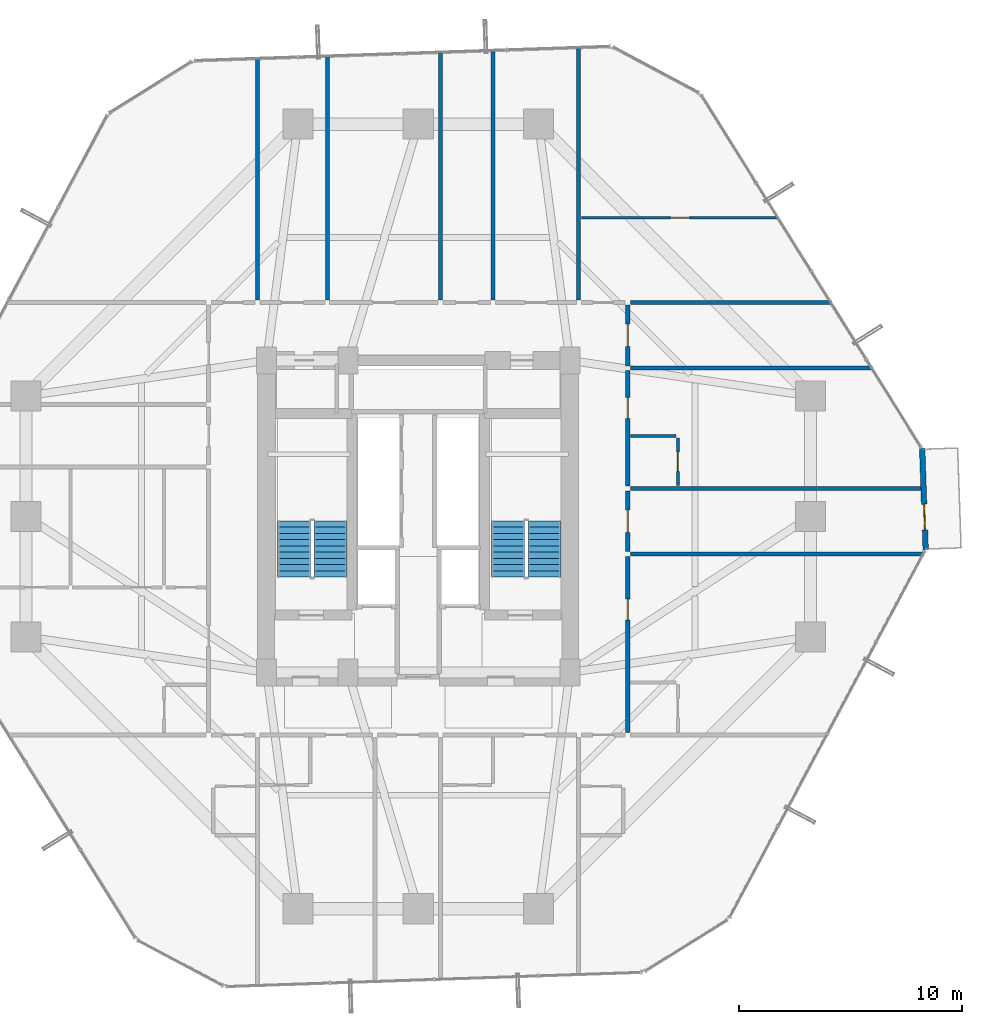
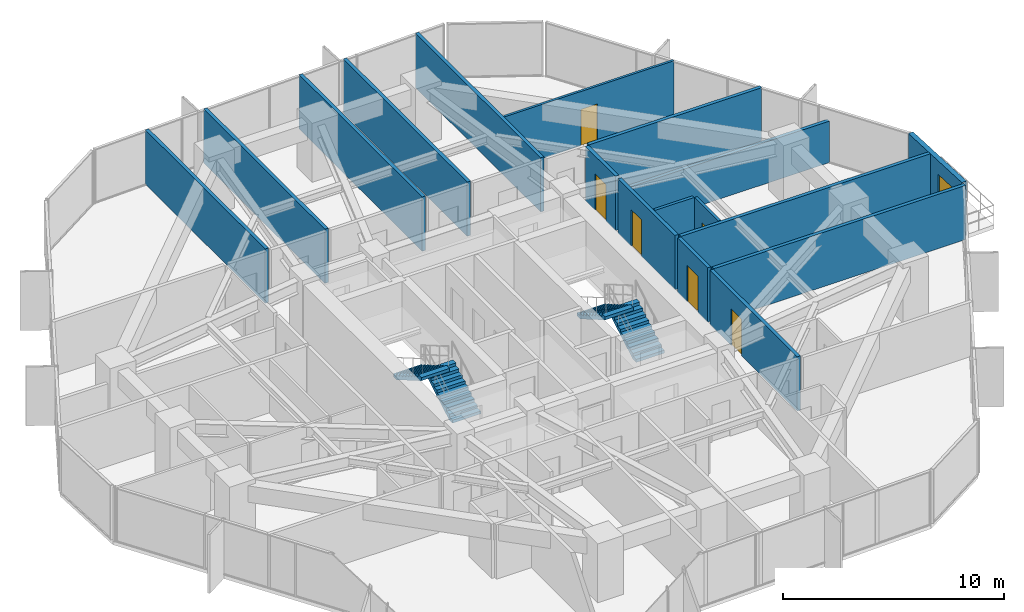
# One storey, part 37 of 39: 17 walls, 7 doors, 4 stair flights, 7 openings, 2 elements without a shape of their own.
"""IFC4 building model written with IfcOpenShell, lengths in metres."""

from ifc_helpers import new_model, si_unit, direction, frame, frame_2d, origin, place, context, subcontext, project, spatial, polyline, rectangle, outline, extrude, source, transform, mapped, material, layer, layer_set, type_object, element, fill, aggregate, save


model = new_model("IFC4")

# Units and contexts
model_context = context("Model", 3, precision=1e-05, world=origin(), true_north=direction((0.0, 1.0)))
body_context = subcontext(model_context, "Body", "Model", "MODEL_VIEW")
ifc_project = project(units=[si_unit("LENGTHUNIT", "METRE"), si_unit("AREAUNIT", "SQUARE_METRE"), si_unit("VOLUMEUNIT", "CUBIC_METRE"), si_unit("PLANEANGLEUNIT", "RADIAN"), si_unit("MASSUNIT", "GRAM", prefix="KILO")], contexts=[model_context])

# Site, building, storey
site_placement = place(None, origin())
site = spatial("IfcSite", under=ifc_project, at=site_placement, CompositionType="ELEMENT")
building_placement = place(site_placement, origin())
building = spatial("IfcBuilding", under=site, at=building_placement, Name="Veraguas Prism Commons", CompositionType="ELEMENT")
storey_placement = place(building_placement, frame((0.0, 0.0, 30.550048828125)))
storey = spatial("IfcBuildingStorey", under=building, at=storey_placement, Name="L07", CompositionType="ELEMENT", Elevation=30.550048828125)

# Walls
ifc_material_1 = material(Name="Autoclaved aerated masonry block 10 MPa", Category="masonry")
ifc_layer_1 = layer(ifc_material_1, 0.179931640625, Name="Corridor and Inter-Tenancy Partition 180", Category="masonry")
ifc_layer_set_1 = layer_set([ifc_layer_1], Name="Autoclaved aerated masonry block 10 MPa")
wall_type_1 = type_object("IfcWallType", Name="Corridor and Inter-Tenancy Partition 180", PredefinedType="PARTITIONING", material=ifc_layer_set_1)
wall_1_placement = place(storey_placement, frame((16.800048828125, 33.719970703125, 0.0), z_axis=(0.0, 0.0, 1.0), x_axis=(0.0, 1.0, 0.0)))
element("IfcWall", 1, at=wall_1_placement, inside=storey, type_object=wall_type_1, Name="WL-L07-PT012", PredefinedType="PARTITIONING", context=body_context, shape_type="SweptSolid", body=[
    extrude(rectangle(XDim=10.8603515625, YDim=0.179931640625, at=frame_2d((5.43017578125, 0.0))), origin(), (0.0, 0.0, 1.0), 3.0),
])
wall_2_placement = place(storey_placement, frame((31.199951171875, 33.719970703125, 0.0), z_axis=(0.0, 0.0, 1.0), x_axis=(0.0, 1.0, 0.0)))
element("IfcWall", 2, at=wall_2_placement, inside=storey, type_object=wall_type_1, Name="WL-L07-PT013", PredefinedType="PARTITIONING", context=body_context, shape_type="SweptSolid", body=[
    extrude(rectangle(XDim=11.353271484375, YDim=0.179931640625, at=frame_2d((5.6767578125, 0.0))), origin(), (0.0, 0.0, 1.0), 3.0),
])
wall_3_placement = place(storey_placement, frame((19.9189453125, 33.719970703125, 0.0), z_axis=(0.0, 0.0, 1.0), x_axis=(0.0, 1.0, 0.0)))
element("IfcWall", 3, at=wall_3_placement, inside=storey, type_object=wall_type_1, Name="WL-L07-PT016", PredefinedType="PARTITIONING", context=body_context, shape_type="SweptSolid", body=[
    extrude(rectangle(XDim=10.967041015625, YDim=0.179931640625, at=frame_2d((5.4833984375, 0.0))), origin(), (0.0, 0.0, 1.0), 3.0),
])
wall_4_placement = place(storey_placement, frame((25.008056640625, 33.719970703125, 0.0), z_axis=(0.0, 0.0, 1.0), x_axis=(0.0, 1.0, 0.0)))
element("IfcWall", 4, at=wall_4_placement, inside=storey, type_object=wall_type_1, Name="WL-L07-PT017", PredefinedType="PARTITIONING", context=body_context, shape_type="SweptSolid", body=[
    extrude(rectangle(XDim=11.141357421875, YDim=0.179931640625, at=frame_2d((5.57080078125, 0.0))), origin(), (0.0, 0.0, 1.0), 3.0),
])
wall_5_placement = place(storey_placement, frame((27.361083984375, 33.719970703125, 0.0), z_axis=(0.0, 0.0, 1.0), x_axis=(0.0, 1.0, 0.0)))
element("IfcWall", 5, at=wall_5_placement, inside=storey, type_object=wall_type_1, Name="WL-L07-PT020", PredefinedType="PARTITIONING", context=body_context, shape_type="SweptSolid", body=[
    extrude(rectangle(XDim=11.221923828125, YDim=0.179931640625, at=frame_2d((5.61083984375, 0.0))), origin(), (0.0, 0.0, 1.0), 3.0),
])
wall_6_placement = place(storey_placement, frame((33.52001953125, 33.60009765625, 0.0), z_axis=(0.0, 0.0, 1.0), x_axis=(1.0, 0.0, 0.0)))
element("IfcWall", 6, at=wall_6_placement, inside=storey, type_object=wall_type_1, Name="WL-L07-PT036", PredefinedType="PARTITIONING", context=body_context, shape_type="SweptSolid", body=[
    extrude(rectangle(XDim=9.02392578125, YDim=0.179931640625, at=frame_2d((4.511962890625, 0.0))), origin(), (0.0, 0.0, 1.0), 3.0),
])

# Wall, opening, door
wall_7_placement = place(storey_placement, frame((33.39990234375, 22.41796875, 0.0), z_axis=(0.0, 0.0, 1.0), x_axis=(0.0, 1.0, 0.0)))
wall_7 = element("IfcWall", 7, at=wall_7_placement, inside=storey, type_object=wall_type_1, Name="WL-L07-PT037", PredefinedType="PARTITIONING", context=body_context, shape_type="SweptSolid", body=[
    extrude(rectangle(XDim=2.72998046875, YDim=0.179931640625, at=frame_2d((1.364990234375, 0.0))), origin(), (0.0, 0.0, 1.0), 3.0),
])
opening_1_placement = place(wall_7_placement, frame((0.864990234375, 0.0, 0.0)))
opening_1 = element("IfcOpeningElement", 8, at=opening_1_placement, cuts=wall_7, Name="Opening DR-13", PredefinedType="OPENING", context=body_context, shape_type="SweptSolid", body=[
    extrude(rectangle(XDim=1.0, YDim=2.010009765625, at=frame_2d((0.5, 1.0048828125))), frame((0.0, 0.099853515625, 0.0), z_axis=(0.0, -1.0, 0.0), x_axis=(1.0, 0.0, 0.0)), (0.0, 0.0, 1.0), 0.199951171875),
])
ifc_material_2 = material(Name="Steel fire-rated door assembly", Category="steel")
door_type_1 = type_object("IfcDoorType", Name="Core Accessible WC and Clinic Fire Door 1000x2010", OperationType="NOTDEFINED", PredefinedType="DOOR", material=ifc_material_2)
shared_shape_1 = source(origin(), body_context, "Body", "SweptSolid", [
    extrude(rectangle(XDim=1.0, YDim=2.010009765625, at=frame_2d((0.5, 1.0048828125))), frame((0.0, 0.02490234375, 0.0), z_axis=(0.0, -1.0, 0.0), x_axis=(1.0, 0.0, 0.0)), (0.0, 0.0, 1.0), 0.050048828125),
])
door_1_placement = place(opening_1_placement, origin())
door_1 = element("IfcDoor", 9, at=door_1_placement, inside=storey, type_object=door_type_1, Name="Quiet Study E Door", OperationType="SINGLE_SWING_LEFT", OverallHeight=2.010009765625, OverallWidth=1.0, PredefinedType="DOOR", context=body_context, shape_type="MappedRepresentation", body=[
    mapped(shared_shape_1, transform((0.0, 0.0, 0.0), scale=1.0)),
])
fill(opening_1, door_1)

# Wall
wall_8_placement = place(storey_placement, frame((33.52001953125, 22.30810546875, 0.0), z_axis=(0.0, 0.0, 1.0), x_axis=(1.0, 0.0, 0.0)))
element("IfcWall", 10, at=wall_8_placement, inside=storey, type_object=wall_type_1, Name="WL-L07-PT038", PredefinedType="PARTITIONING", context=body_context, shape_type="SweptSolid", body=[
    extrude(rectangle(XDim=13.16162109375, YDim=0.179931640625, at=frame_2d((6.580810546875, 0.0))), origin(), (0.0, 0.0, 1.0), 3.0),
])

# Wall, opening, door
wall_9_placement = place(storey_placement, frame((33.39990234375, 14.31005859375, 0.0), z_axis=(0.0, 0.0, 1.0), x_axis=(0.0, 1.0, 0.0)))
wall_9 = element("IfcWall", 11, at=wall_9_placement, inside=storey, type_object=wall_type_1, Name="WL-L07-PT039", PredefinedType="PARTITIONING", context=body_context, shape_type="SweptSolid", body=[
    extrude(rectangle(XDim=7.887939453125, YDim=0.179931640625, at=frame_2d((3.94384765625, 0.0))), origin(), (0.0, 0.0, 1.0), 3.0),
])
opening_2_placement = place(wall_9_placement, frame((5.0380859375, 0.0, 0.0)))
opening_2 = element("IfcOpeningElement", 12, at=opening_2_placement, cuts=wall_9, Name="Opening DR-01", PredefinedType="OPENING", context=body_context, shape_type="SweptSolid", body=[
    extrude(rectangle(XDim=0.949951171875, YDim=2.02001953125, at=frame_2d((0.47509765625, 1.010009765625))), frame((0.0, 0.099853515625, 0.0), z_axis=(0.0, -1.0, 0.0), x_axis=(1.0, 0.0, 0.0)), (0.0, 0.0, 1.0), 0.199951171875),
])
ifc_material_3 = material(Name="Anodised aluminium EN AW-6063 T6", Category="aluminium")
door_type_2 = type_object("IfcDoorType", Name="Apartment Entrance Fire Door 950x2020", OperationType="NOTDEFINED", PredefinedType="DOOR", material=ifc_material_3)
shared_shape_2 = source(origin(), body_context, "Body", "SweptSolid", [
    extrude(rectangle(XDim=0.949951171875, YDim=2.02001953125, at=frame_2d((0.47509765625, 1.010009765625))), frame((0.0, 0.02490234375, 0.0), z_axis=(0.0, -1.0, 0.0), x_axis=(1.0, 0.0, 0.0)), (0.0, 0.0, 1.0), 0.050048828125),
])
door_2_placement = place(opening_2_placement, origin())
door_2 = element("IfcDoor", 13, at=door_2_placement, inside=storey, type_object=door_type_2, Name="Studio 07D Entrance Door", OperationType="SINGLE_SWING_RIGHT", OverallHeight=2.02001953125, OverallWidth=0.949951171875, PredefinedType="DOOR", context=body_context, shape_type="MappedRepresentation", body=[
    mapped(shared_shape_2, transform((0.0, 0.0, 0.0), scale=1.0)),
])
fill(opening_2, door_2)

# Wall
wall_10_placement = place(storey_placement, frame((33.52001953125, 25.258056640625, 0.0), z_axis=(0.0, 0.0, 1.0), x_axis=(1.0, 0.0, 0.0)))
element("IfcWall", 14, at=wall_10_placement, inside=storey, type_object=wall_type_1, Name="WL-L07-PT042", PredefinedType="PARTITIONING", context=body_context, shape_type="SweptSolid", body=[
    extrude(rectangle(XDim=13.18115234375, YDim=0.179931640625, at=frame_2d((6.590576171875, 0.0))), origin(), (0.0, 0.0, 1.0), 3.0),
])

# Wall, opening, door
wall_11_placement = place(storey_placement, frame((33.39990234375, 30.760009765625, 0.0), z_axis=(0.0, 0.0, 1.0), x_axis=(0.0, 1.0, 0.0)))
wall_11 = element("IfcWall", 15, at=wall_11_placement, inside=storey, type_object=wall_type_1, Name="WL-L07-PT043", PredefinedType="PARTITIONING", context=body_context, shape_type="SweptSolid", body=[
    extrude(rectangle(XDim=2.72998046875, YDim=0.179931640625, at=frame_2d((1.364990234375, 0.0))), origin(), (0.0, 0.0, 1.0), 3.0),
])
opening_3_placement = place(wall_11_placement, frame((0.864990234375, 0.0, 0.0)))
opening_3 = element("IfcOpeningElement", 16, at=opening_3_placement, cuts=wall_11, Name="Opening DR-13", PredefinedType="OPENING", context=body_context, shape_type="SweptSolid", body=[
    extrude(rectangle(XDim=1.0, YDim=2.010009765625, at=frame_2d((0.5, 1.0048828125))), frame((0.0, 0.099853515625, 0.0), z_axis=(0.0, -1.0, 0.0), x_axis=(1.0, 0.0, 0.0)), (0.0, 0.0, 1.0), 0.199951171875),
])
door_3_placement = place(opening_3_placement, origin())
door_3 = element("IfcDoor", 17, at=door_3_placement, inside=storey, type_object=door_type_1, Name="Quiet Study E Door", OperationType="SINGLE_SWING_RIGHT", OverallHeight=2.010009765625, OverallWidth=1.0, PredefinedType="DOOR", context=body_context, shape_type="MappedRepresentation", body=[
    mapped(shared_shape_1, transform((0.0, 0.0, 0.0), scale=1.0)),
])
fill(opening_3, door_3)

# Wall
wall_12_placement = place(storey_placement, frame((33.52001953125, 30.64990234375, 0.0), z_axis=(0.0, 0.0, 1.0), x_axis=(1.0, 0.0, 0.0)))
element("IfcWall", 18, at=wall_12_placement, inside=storey, type_object=wall_type_1, Name="WL-L07-PT044", PredefinedType="PARTITIONING", context=body_context, shape_type="SweptSolid", body=[
    extrude(rectangle(XDim=10.864501953125, YDim=0.179931640625, at=frame_2d((5.43212890625, 0.0))), origin(), (0.0, 0.0, 1.0), 2.299072265625),
])

# Wall, opening, door
wall_13_placement = place(storey_placement, frame((33.39990234375, 25.367919921875, 0.0), z_axis=(0.0, 0.0, 1.0), x_axis=(0.0, 1.0, 0.0)))
wall_13 = element("IfcWall", 19, at=wall_13_placement, inside=storey, type_object=wall_type_1, Name="WL-L07-PT045", PredefinedType="PARTITIONING", context=body_context, shape_type="SweptSolid", body=[
    extrude(rectangle(XDim=5.172119140625, YDim=0.179931640625, at=frame_2d((2.5859375, 0.0))), origin(), (0.0, 0.0, 1.0), 3.0),
])
opening_4_placement = place(wall_13_placement, frame((3.0283203125, 0.0, 0.0)))
opening_4 = element("IfcOpeningElement", 20, at=opening_4_placement, cuts=wall_13, Name="Opening DR-01", PredefinedType="OPENING", context=body_context, shape_type="SweptSolid", body=[
    extrude(rectangle(XDim=0.949951171875, YDim=2.02001953125, at=frame_2d((0.47509765625, 1.010009765625))), frame((0.0, 0.099853515625, 0.0), z_axis=(0.0, -1.0, 0.0), x_axis=(1.0, 0.0, 0.0)), (0.0, 0.0, 1.0), 0.199951171875),
])
door_4_placement = place(opening_4_placement, origin())
door_4 = element("IfcDoor", 21, at=door_4_placement, inside=storey, type_object=door_type_2, Name="Studio 07E Entrance Door", OperationType="SINGLE_SWING_LEFT", OverallHeight=2.02001953125, OverallWidth=0.949951171875, PredefinedType="DOOR", context=body_context, shape_type="MappedRepresentation", body=[
    mapped(shared_shape_2, transform((0.0, 0.0, 0.0), scale=1.0)),
])
fill(opening_4, door_4)

ifc_material_4 = material(Name="Precast concrete C40/50", Category="concrete")
ifc_layer_2 = layer(ifc_material_4, 0.25, Name="External Loggia and Portal Wall 250", Category="concrete")
ifc_layer_set_2 = layer_set([ifc_layer_2], Name="Precast concrete C40/50")
wall_type_2 = type_object("IfcWallType", Name="External Loggia and Portal Wall 250", PredefinedType="SOLIDWALL", material=ifc_layer_set_2)
wall_14_placement = place(storey_placement, frame((46.76611328125, 22.48779296875, 0.0), z_axis=(0.0, 0.0, 1.0), x_axis=(-0.03422176955, 0.999414263701, 0.0)))
wall_14 = element("IfcWall", 22, at=wall_14_placement, inside=storey, type_object=wall_type_2, Name="Corner Loggia Wall L07-C1", PredefinedType="SOLIDWALL", context=body_context, shape_type="SweptSolid", body=[
    extrude(rectangle(XDim=4.580078125, YDim=0.25, at=frame_2d((2.2900390625, 0.0))), origin(), (0.0, 0.0, 1.0), 3.0),
])
opening_5_placement = place(wall_14_placement, frame((0.909912109375, 0.0, 0.0)))
opening_5 = element("IfcOpeningElement", 23, at=opening_5_placement, cuts=wall_14, Name="Opening DR-10", PredefinedType="OPENING", context=body_context, shape_type="SweptSolid", body=[
    extrude(rectangle(XDim=1.14990234375, YDim=2.25, at=frame_2d((0.574951171875, 1.125))), frame((0.0, 0.135009765625, 0.0), z_axis=(0.0, -1.0, 0.0), x_axis=(1.0, 0.0, 0.0)), (0.0, 0.0, 1.0), 0.27001953125),
])
door_type_3 = type_object("IfcDoorType", Name="Glazed Loggia and Terrace Door 1150x2250", OperationType="NOTDEFINED", PredefinedType="DOOR", material=ifc_material_3)
shared_shape_3 = source(origin(), body_context, "Body", "SweptSolid", [
    extrude(rectangle(XDim=1.14990234375, YDim=2.25, at=frame_2d((0.574951171875, 1.125))), frame((0.0, 0.02490234375, 0.0), z_axis=(0.0, -1.0, 0.0), x_axis=(1.0, 0.0, 0.0)), (0.0, 0.0, 1.0), 0.050048828125),
])
door_5_placement = place(opening_5_placement, frame((1.14990234375, 0.0, 0.0), z_axis=(0.0, 0.0, 1.0), x_axis=(-1.0, 0.0, 0.0)))
door_5 = element("IfcDoor", 24, at=door_5_placement, inside=storey, type_object=door_type_3, Name="Recessed Loggia Door L07-C1", OperationType="SINGLE_SWING_LEFT", OverallHeight=2.25, OverallWidth=1.14990234375, PredefinedType="DOOR", context=body_context, shape_type="MappedRepresentation", body=[
    mapped(shared_shape_3, transform((0.0, 0.0, 0.0), scale=1.0)),
])
fill(opening_5, door_5)

ifc_material_5 = material(Name="Lightweight acoustic gypsum board")
ifc_layer_3 = layer(ifc_material_5, 0.125, Name="Internal Apartment Room Partition 125")
ifc_layer_set_3 = layer_set([ifc_layer_3], Name="Lightweight acoustic gypsum board")
wall_type_3 = type_object("IfcWallType", Name="Internal Apartment Room Partition 125", PredefinedType="PARTITIONING", material=ifc_layer_set_3)
wall_15_placement = place(storey_placement, frame((35.64990234375, 25.3779296875, 0.0), z_axis=(0.0, 0.0, 1.0), x_axis=(0.0, 1.0, 0.0)))
wall_15 = element("IfcWall", 25, at=wall_15_placement, inside=storey, type_object=wall_type_3, Name="WL-L07-PT047", PredefinedType="PARTITIONING", context=body_context, shape_type="SweptSolid", body=[
    extrude(rectangle(XDim=2.150146484375, YDim=0.125, at=frame_2d((1.0751953125, 0.0))), origin(), (0.0, 0.0, 1.0), 3.0),
])
opening_6_placement = place(wall_15_placement, frame((0.64501953125, 0.0, 0.0)))
opening_6 = element("IfcOpeningElement", 26, at=opening_6_placement, cuts=wall_15, Name="Opening DR-03", PredefinedType="OPENING", context=body_context, shape_type="SweptSolid", body=[
    extrude(rectangle(XDim=0.860107421875, YDim=2.010009765625, at=frame_2d((0.43017578125, 1.0048828125))), frame((0.0, 0.072509765625, 0.0), z_axis=(0.0, -1.0, 0.0), x_axis=(1.0, 0.0, 0.0)), (0.0, 0.0, 1.0), 0.14501953125),
])
ifc_material_6 = material(Name="Timber moisture-resistant leaf", Category="wood")
door_type_4 = type_object("IfcDoorType", Name="Internal Bathroom Door 860x2010", OperationType="NOTDEFINED", PredefinedType="DOOR", material=ifc_material_6)
shared_shape_4 = source(origin(), body_context, "Body", "SweptSolid", [
    extrude(rectangle(XDim=0.860107421875, YDim=2.010009765625, at=frame_2d((0.43017578125, 1.0048828125))), frame((0.0, 0.02490234375, 0.0), z_axis=(0.0, -1.0, 0.0), x_axis=(1.0, 0.0, 0.0)), (0.0, 0.0, 1.0), 0.050048828125),
])
door_6_placement = place(opening_6_placement, origin())
door_6 = element("IfcDoor", 27, at=door_6_placement, inside=storey, type_object=door_type_4, Name="Studio 07E Bathroom Door", OperationType="SINGLE_SWING_RIGHT", OverallHeight=2.010009765625, OverallWidth=0.860107421875, PredefinedType="DOOR", context=body_context, shape_type="MappedRepresentation", body=[
    mapped(shared_shape_4, transform((0.0, 0.0, 0.0), scale=1.0)),
])
fill(opening_6, door_6)

wall_16_placement = place(storey_placement, frame((31.320068359375, 37.39990234375, 0.0), z_axis=(0.0, 0.0, 1.0), x_axis=(1.0, 0.0, 0.0)))
wall_16 = element("IfcWall", 28, at=wall_16_placement, inside=storey, type_object=wall_type_3, Name="WL-L07-PT058", PredefinedType="PARTITIONING", context=body_context, shape_type="SweptSolid", body=[
    extrude(rectangle(XDim=8.85302734375, YDim=0.125, at=frame_2d((4.426513671875, 0.0))), origin(), (0.0, 0.0, 1.0), 3.0),
])
opening_7_placement = place(wall_16_placement, frame((3.99658203125, 0.0, 0.0)))
opening_7 = element("IfcOpeningElement", 29, at=opening_7_placement, cuts=wall_16, Name="Opening DR-03", PredefinedType="OPENING", context=body_context, shape_type="SweptSolid", body=[
    extrude(rectangle(XDim=0.860107421875, YDim=2.010009765625, at=frame_2d((0.43017578125, 1.0048828125))), frame((0.0, 0.072509765625, 0.0), z_axis=(0.0, -1.0, 0.0), x_axis=(1.0, 0.0, 0.0)), (0.0, 0.0, 1.0), 0.14501953125),
])
door_7_placement = place(opening_7_placement, origin())
door_7 = element("IfcDoor", 30, at=door_7_placement, inside=storey, type_object=door_type_4, Name="Corner Store NE Door", OperationType="SINGLE_SWING_LEFT", OverallHeight=2.010009765625, OverallWidth=0.860107421875, PredefinedType="DOOR", context=body_context, shape_type="MappedRepresentation", body=[
    mapped(shared_shape_4, transform((0.0, 0.0, 0.0), scale=1.0)),
])
fill(opening_7, door_7)

# Wall
ifc_layer_4 = layer(ifc_material_5, 0.14990234375, Name="Wet Room and Clinic Acoustic Partition 150")
ifc_layer_set_4 = layer_set([ifc_layer_4], Name="Lightweight acoustic gypsum board")
wall_type_4 = type_object("IfcWallType", Name="Wet Room and Clinic Acoustic Partition 150", PredefinedType="PARTITIONING", material=ifc_layer_set_4)
wall_17_placement = place(storey_placement, frame((33.52001953125, 27.60791015625, 0.0), z_axis=(0.0, 0.0, 1.0), x_axis=(1.0, 0.0, 0.0)))
element("IfcWall", 31, at=wall_17_placement, inside=storey, type_object=wall_type_4, Name="WL-L07-PT046", PredefinedType="PARTITIONING", context=body_context, shape_type="SweptSolid", body=[
    extrude(rectangle(XDim=2.050048828125, YDim=0.14990234375, at=frame_2d((1.02490234375, 0.0))), origin(), (0.0, 0.0, 1.0), 3.0),
])

# Stair, stair flights
ifc_material_7 = material(Name="Precast concrete C45/55", Category="concrete")
stair_type = type_object("IfcStairType", Name="Dogleg Core Stair 1480W 20R 05", PredefinedType="HALF_TURN_STAIR", material=ifc_material_7)
stair_1_placement = place(storey_placement, origin())
stair_1 = element("IfcStair", 32, at=stair_1_placement, inside=storey, type_object=stair_type, Name="Protected Exit Stair ST-01 L07", PredefinedType="HALF_TURN_STAIR")
stair_flight_type = type_object("IfcStairFlightType", Name="Precast Stair Flight 1480W 10R 05", PredefinedType="STRAIGHT", material=ifc_material_7)
stair_flight_1_placement = place(storey_placement, frame((20.06005859375, 21.280029296875, 0.0), z_axis=(0.0, 0.0, 1.0), x_axis=(0.0, 1.0, 0.0)))
stair_flight_1 = element("IfcStairFlight", 33, at=stair_flight_1_placement, type_object=stair_flight_type, Name="ST-05 Flight 1", NumberOfRisers=10, NumberOfTreads=9, PredefinedType="STRAIGHT", RiserHeight=0.1625, TreadLength=0.28, context=body_context, shape_type="SweptSolid", body=[
    extrude(outline(polyline([(0.0, 0.0), (0.0, 0.16259765625), (0.280029296875, 0.16259765625), (0.280029296875, 0.324951171875), (0.56005859375, 0.324951171875), (0.56005859375, 0.487548828125), (0.840087890625, 0.487548828125), (0.840087890625, 0.64990234375), (1.1201171875, 0.64990234375), (1.1201171875, 0.8125), (1.39990234375, 0.8125), (1.39990234375, 0.97509765625), (1.679931640625, 0.97509765625), (1.679931640625, 1.137451171875), (1.9599609375, 1.137451171875), (1.9599609375, 1.300048828125), (2.239990234375, 1.300048828125), (2.239990234375, 1.46240234375), (2.52001953125, 1.46240234375), (2.52001953125, 1.625), (2.52001953125, 1.2890625), (0.298583984375, 0.0), (0.0, 0.0)])), frame((0.0, 0.739990234375, 0.0), z_axis=(0.0, -1.0, 0.0), x_axis=(1.0, 0.0, 0.0)), (0.0, 0.0, 1.0), 1.47998046875),
])
stair_flight_2_placement = place(storey_placement, frame((18.429931640625, 23.800048828125, 1.625), z_axis=(0.0, 0.0, 1.0), x_axis=(0.0, -1.0, 0.0)))
stair_flight_2 = element("IfcStairFlight", 34, at=stair_flight_2_placement, type_object=stair_flight_type, Name="ST-05 Flight 2", NumberOfRisers=10, NumberOfTreads=9, PredefinedType="STRAIGHT", RiserHeight=0.1625, TreadLength=0.28, context=body_context, shape_type="SweptSolid", body=[
    extrude(outline(polyline([(0.0, 0.0), (0.0, 0.16259765625), (0.280029296875, 0.16259765625), (0.280029296875, 0.324951171875), (0.56005859375, 0.324951171875), (0.56005859375, 0.487548828125), (0.840087890625, 0.487548828125), (0.840087890625, 0.64990234375), (1.1201171875, 0.64990234375), (1.1201171875, 0.8125), (1.39990234375, 0.8125), (1.39990234375, 0.97509765625), (1.679931640625, 0.97509765625), (1.679931640625, 1.137451171875), (1.9599609375, 1.137451171875), (1.9599609375, 1.300048828125), (2.239990234375, 1.300048828125), (2.239990234375, 1.46240234375), (2.52001953125, 1.46240234375), (2.52001953125, 1.625), (2.52001953125, 1.2890625), (0.298583984375, 0.0), (0.0, 0.0)])), frame((0.0, 0.739990234375, 0.0), z_axis=(0.0, -1.0, 0.0), x_axis=(1.0, 0.0, 0.0)), (0.0, 0.0, 1.0), 1.47998046875),
])
aggregate(stair_1, [stair_flight_1, stair_flight_2])

stair_2_placement = place(storey_placement, origin())
stair_2 = element("IfcStair", 35, at=stair_2_placement, inside=storey, type_object=stair_type, Name="Protected Exit Stair ST-02 L07", PredefinedType="HALF_TURN_STAIR")
stair_flight_3_placement = place(storey_placement, frame((29.659912109375, 21.280029296875, 0.0), z_axis=(0.0, 0.0, 1.0), x_axis=(0.0, 1.0, 0.0)))
stair_flight_3 = element("IfcStairFlight", 36, at=stair_flight_3_placement, type_object=stair_flight_type, Name="ST-05 Flight 1", NumberOfRisers=10, NumberOfTreads=9, PredefinedType="STRAIGHT", RiserHeight=0.1625, TreadLength=0.28, context=body_context, shape_type="SweptSolid", body=[
    extrude(outline(polyline([(0.0, 0.0), (0.0, 0.16259765625), (0.280029296875, 0.16259765625), (0.280029296875, 0.324951171875), (0.56005859375, 0.324951171875), (0.56005859375, 0.487548828125), (0.840087890625, 0.487548828125), (0.840087890625, 0.64990234375), (1.1201171875, 0.64990234375), (1.1201171875, 0.8125), (1.39990234375, 0.8125), (1.39990234375, 0.97509765625), (1.679931640625, 0.97509765625), (1.679931640625, 1.137451171875), (1.9599609375, 1.137451171875), (1.9599609375, 1.300048828125), (2.239990234375, 1.300048828125), (2.239990234375, 1.46240234375), (2.52001953125, 1.46240234375), (2.52001953125, 1.625), (2.52001953125, 1.2890625), (0.298583984375, 0.0), (0.0, 0.0)])), frame((0.0, 0.739990234375, 0.0), z_axis=(0.0, -1.0, 0.0), x_axis=(1.0, 0.0, 0.0)), (0.0, 0.0, 1.0), 1.47998046875),
])
stair_flight_4_placement = place(storey_placement, frame((28.030029296875, 23.800048828125, 1.625), z_axis=(0.0, 0.0, 1.0), x_axis=(0.0, -1.0, 0.0)))
stair_flight_4 = element("IfcStairFlight", 37, at=stair_flight_4_placement, type_object=stair_flight_type, Name="ST-05 Flight 2", NumberOfRisers=10, NumberOfTreads=9, PredefinedType="STRAIGHT", RiserHeight=0.1625, TreadLength=0.28, context=body_context, shape_type="SweptSolid", body=[
    extrude(outline(polyline([(0.0, 0.0), (0.0, 0.16259765625), (0.280029296875, 0.16259765625), (0.280029296875, 0.324951171875), (0.56005859375, 0.324951171875), (0.56005859375, 0.487548828125), (0.840087890625, 0.487548828125), (0.840087890625, 0.64990234375), (1.1201171875, 0.64990234375), (1.1201171875, 0.8125), (1.39990234375, 0.8125), (1.39990234375, 0.97509765625), (1.679931640625, 0.97509765625), (1.679931640625, 1.137451171875), (1.9599609375, 1.137451171875), (1.9599609375, 1.300048828125), (2.239990234375, 1.300048828125), (2.239990234375, 1.46240234375), (2.52001953125, 1.46240234375), (2.52001953125, 1.625), (2.52001953125, 1.2890625), (0.298583984375, 0.0), (0.0, 0.0)])), frame((0.0, 0.739990234375, 0.0), z_axis=(0.0, -1.0, 0.0), x_axis=(1.0, 0.0, 0.0)), (0.0, 0.0, 1.0), 1.47998046875),
])
aggregate(stair_2, [stair_flight_3, stair_flight_4])

save(model, "model.ifc")
